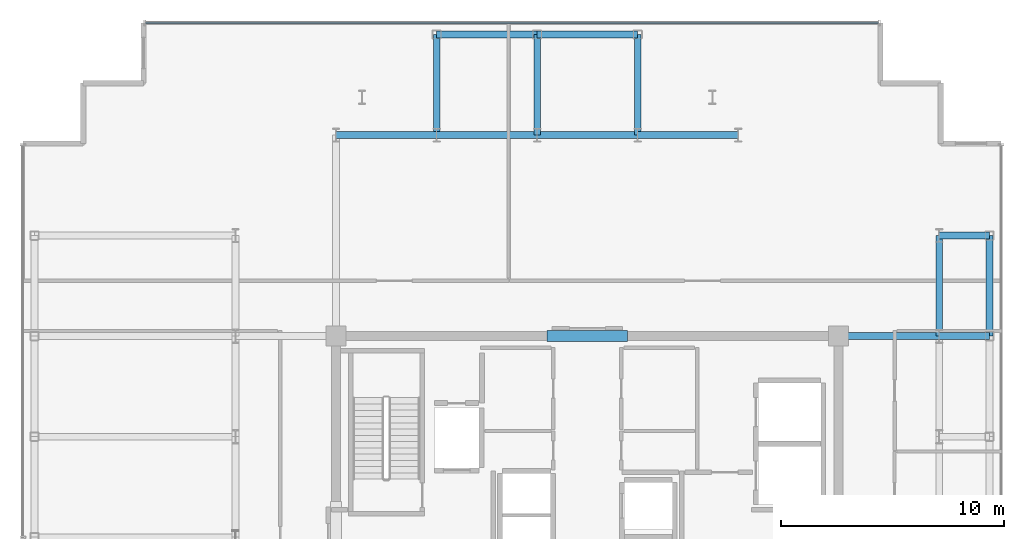
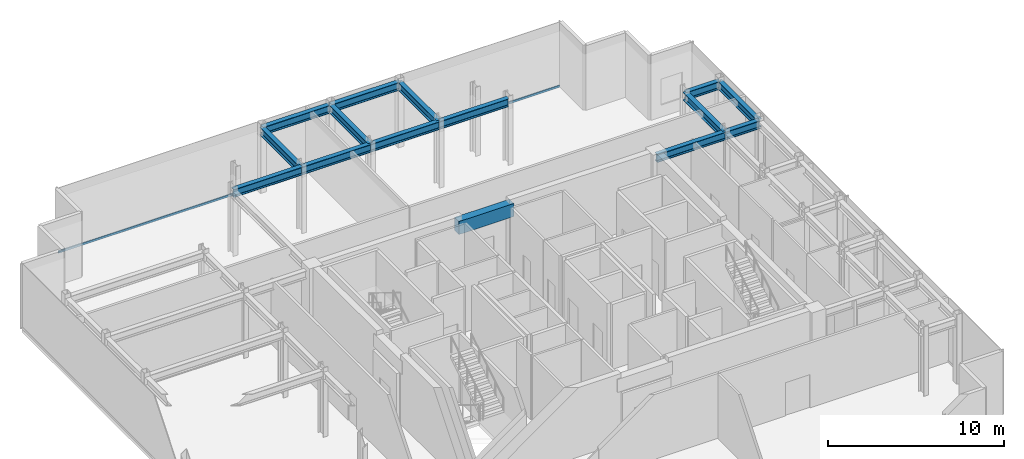
# One storey, part 10 of 17: 15 beams, 1 member, 1 element without a shape of its own.
"""IFC4 building model written with IfcOpenShell, lengths in metres."""

from ifc_helpers import new_model, si_unit, direction, frame, origin, origin_2d, place, context, subcontext, project, spatial, rectangle, hollow_rectangle, i_section, extrude, source, transform, mapped, material, layer, layer_set, material_profile, profile_set, type_object, element, aggregate, save


model = new_model("IFC4")

# Units and contexts
model_context = context("Model", 3, precision=1e-05, world=origin(), true_north=direction((0.0, 1.0)))
body_context = subcontext(model_context, "Body", "Model", "MODEL_VIEW")
ifc_project = project(units=[si_unit("LENGTHUNIT", "METRE"), si_unit("AREAUNIT", "SQUARE_METRE"), si_unit("VOLUMEUNIT", "CUBIC_METRE"), si_unit("PLANEANGLEUNIT", "RADIAN"), si_unit("MASSUNIT", "GRAM", prefix="KILO")], contexts=[model_context])

# Site, building, storey
site_placement = place(None, origin())
site = spatial("IfcSite", under=ifc_project, at=site_placement, CompositionType="ELEMENT")
building_placement = place(site_placement, origin())
building = spatial("IfcBuilding", under=site, at=building_placement, Name="Nefas-Gora Pilgrimage Tower", CompositionType="ELEMENT")
storey_placement = place(building_placement, frame((0.0, 0.0, 349.0)))
storey = spatial("IfcBuildingStorey", under=building, at=storey_placement, Name="L88", CompositionType="ELEMENT", Elevation=349.0)

# Beams
ifc_material_1 = material(Name="Concrete C50/60", Category="concrete")
ifc_material_profile_1 = material_profile(ifc_material_1, rectangle(XDim=0.5, YDim=0.89990234375, at=origin_2d()), Name="RC 500x900")
ifc_profile_set_1 = profile_set([ifc_material_profile_1], Name="Concrete C50/60")
beam_type_1 = type_object("IfcBeamType", Name="BM-LIN-RC900", PredefinedType="LINTEL", material=ifc_profile_set_1)
shared_shape_1 = source(origin(), body_context, "Body", "SweptSolid", [
    extrude(rectangle(XDim=0.5, YDim=0.89990234375, at=origin_2d()), origin(), (0.0, 0.0, 1.0), 3.60009765625),
])
beam_placement = place(storey_placement, frame((-1.800048828125, 9.0, 4.050048828125), z_axis=(1.0, 0.0, 0.0), x_axis=(0.0, 1.0, 0.0)))
element("IfcBeam", 1, at=beam_placement, inside=storey, type_object=beam_type_1, Name="L88 Core Coupling Lintel Beam N", PredefinedType="LINTEL", context=body_context, shape_type="MappedRepresentation", body=[
    mapped(shared_shape_1, transform((0.0, 0.0, 0.0), x_axis=(1.0, 0.0, 0.0), y_axis=(0.0, 1.0, 0.0), z_axis=(0.0, 0.0, 1.0), scale=1.0)),
])
ifc_material_2 = material(Name="Steel S355", Category="steel")
ifc_material_profile_2 = material_profile(ifc_material_2, i_section(OverallWidth=0.300048828125, OverallDepth=0.550048828125, WebThickness=0.014892578125, FlangeThickness=0.029052734375, FilletRadius=0.027099609375, at=origin_2d()), Name="HEB 550")
ifc_profile_set_2 = profile_set([ifc_material_profile_2], Name="Steel S355")
beam_type_2 = type_object("IfcBeamType", Name="BM-SPN-HEB400", PredefinedType="SPANDREL", material=ifc_profile_set_2)
shared_shape_2 = source(origin(), body_context, "Body", "SweptSolid", [
    extrude(i_section(OverallWidth=0.300048828125, OverallDepth=0.550048828125, WebThickness=0.014892578125, FlangeThickness=0.029052734375, FilletRadius=0.027099609375, at=origin_2d()), origin(), (0.0, 0.0, 1.0), 4.5),
])
for number, where, z_axis, x_axis, name in (
    (2, (-6.75, 22.5, 4.22509765625), (1.0, 0.0, 0.0), (0.0, 1.0, 0.0), "L88 SP-04 beam"),
    (3, (-2.25, 22.5, 4.22509765625), (1.0, 0.0, 0.0), (0.0, 1.0, 0.0), "L88 SP-04 beam"),
    (4, (18.0, 9.0, 4.22509765625), (0.0, 1.0, 0.0), (-1.0, 0.0, 0.0), "L88 SP-04 beam"),
):
    element("IfcBeam", number, at=place(storey_placement, frame(where, z_axis=z_axis, x_axis=x_axis)), inside=storey, type_object=beam_type_2, Name=name, PredefinedType="SPANDREL", context=body_context, shape_type="MappedRepresentation", body=[
        mapped(shared_shape_2, transform((0.0, 0.0, 0.0), x_axis=(1.0, 0.0, 0.0), y_axis=(0.0, 1.0, 0.0), z_axis=(0.0, 0.0, 1.0), scale=1.0)),
    ])
ifc_material_profile_3 = material_profile(ifc_material_2, i_section(OverallWidth=0.300048828125, OverallDepth=0.550048828125, WebThickness=0.014892578125, FlangeThickness=0.029052734375, FilletRadius=0.027099609375, at=origin_2d()), Name="HEB 550")
ifc_profile_set_3 = profile_set([ifc_material_profile_3], Name="Steel S355")
beam_type_3 = type_object("IfcBeamType", Name="BM-GIR-HEB550", PredefinedType="BEAM", material=ifc_profile_set_3)
shared_shape_3 = source(origin(), body_context, "Body", "SweptSolid", [
    extrude(i_section(OverallWidth=0.300048828125, OverallDepth=0.550048828125, WebThickness=0.014892578125, FlangeThickness=0.029052734375, FilletRadius=0.027099609375, at=origin_2d()), origin(), (0.0, 0.0, 1.0), 4.5),
])
for number, where, z_axis, x_axis, name in (
    (5, (-11.25, 18.0, 4.22509765625), (1.0, 0.0, 0.0), (0.0, 1.0, 0.0), "L88 G-05 beam"),
    (6, (-6.75, 18.0, 4.22509765625), (0.0, 1.0, 0.0), (-1.0, 0.0, 0.0), "L88 G-05 beam"),
    (7, (-6.75, 18.0, 4.22509765625), (1.0, 0.0, 0.0), (0.0, 1.0, 0.0), "L88 G-05 beam"),
    (8, (-2.25, 18.0, 4.22509765625), (0.0, 1.0, 0.0), (-1.0, 0.0, 0.0), "L88 G-05 beam"),
    (9, (-2.25, 18.0, 4.22509765625), (1.0, 0.0, 0.0), (0.0, 1.0, 0.0), "L88 G-05 beam"),
    (10, (2.25, 18.0, 4.22509765625), (0.0, 1.0, 0.0), (-1.0, 0.0, 0.0), "L88 G-05 beam"),
    (11, (2.25, 18.0, 4.22509765625), (1.0, 0.0, 0.0), (0.0, 1.0, 0.0), "L88 G-05 beam"),
    (12, (11.25, 9.0, 4.22509765625), (1.0, 0.0, 0.0), (0.0, 1.0, 0.0), "L88 G-05 beam"),
    (13, (15.75, 9.0, 4.22509765625), (0.0, 1.0, 0.0), (-1.0, 0.0, 0.0), "L88 G-05 beam"),
):
    element("IfcBeam", number, at=place(storey_placement, frame(where, z_axis=z_axis, x_axis=x_axis)), inside=storey, type_object=beam_type_3, Name=name, PredefinedType="BEAM", context=body_context, shape_type="MappedRepresentation", body=[
        mapped(shared_shape_3, transform((0.0, 0.0, 0.0), x_axis=(1.0, 0.0, 0.0), y_axis=(0.0, 1.0, 0.0), z_axis=(0.0, 0.0, 1.0), scale=1.0)),
    ])
shared_shape_4 = source(origin(), body_context, "Body", "SweptSolid", [
    extrude(i_section(OverallWidth=0.300048828125, OverallDepth=0.550048828125, WebThickness=0.014892578125, FlangeThickness=0.029052734375, FilletRadius=0.027099609375, at=origin_2d()), origin(), (0.0, 0.0, 1.0), 2.25),
])
for number, where, z_axis, x_axis, name in (
    (14, (15.75, 9.0, 4.22509765625), (1.0, 0.0, 0.0), (0.0, 1.0, 0.0), "L88 G-05 beam"),
    (15, (15.75, 13.5, 4.22509765625), (1.0, 0.0, 0.0), (0.0, 1.0, 0.0), "L88 G-05 beam"),
):
    element("IfcBeam", number, at=place(storey_placement, frame(where, z_axis=z_axis, x_axis=x_axis)), inside=storey, type_object=beam_type_3, Name=name, PredefinedType="BEAM", context=body_context, shape_type="MappedRepresentation", body=[
        mapped(shared_shape_4, transform((0.0, 0.0, 0.0), x_axis=(1.0, 0.0, 0.0), y_axis=(0.0, 1.0, 0.0), z_axis=(0.0, 0.0, 1.0), scale=1.0)),
    ])

# Curtain wall, member
ifc_material_3 = material(Name="Dark ceramic-fritted solar-control aluminium-glass curtain wall", Category="aluminium")
ifc_layer = layer(ifc_material_3, 0.219970703125)
ifc_layer_set = layer_set([ifc_layer], Name="Dark ceramic-fritted solar-control aluminium-glass curtain wall")
curtain_wall_type = type_object("IfcCurtainWallType", Name="CW-SYS-6", PredefinedType="NOTDEFINED", material=ifc_layer_set)
curtain_wall_placement = place(storey_placement, origin())
curtain_wall = element("IfcCurtainWall", 16, at=curtain_wall_placement, inside=storey, type_object=curtain_wall_type, Name="L88 Unitised Curtain Wall CW6", PredefinedType="NOTDEFINED")
ifc_material_4 = material(Name="Anodised architectural aluminium", Category="aluminium")
ifc_material_profile_4 = material_profile(ifc_material_4, hollow_rectangle(XDim=0.080078125, YDim=0.159912109375, WallThickness=0.00439453125, InnerFilletRadius=0.00439453125, OuterFilletRadius=0.009033203125, at=origin_2d()), Name="ALU TRANSOM 80x160")
ifc_profile_set_4 = profile_set([ifc_material_profile_4], Name="Anodised architectural aluminium")
member_type = type_object("IfcMemberType", Name="CWM-TRN-6", PredefinedType="USERDEFINED", material=ifc_profile_set_4)
shared_shape_5 = source(origin(), body_context, "Body", "SweptSolid", [
    extrude(hollow_rectangle(XDim=0.080078125, YDim=0.159912109375, WallThickness=0.00439453125, InnerFilletRadius=0.00439453125, OuterFilletRadius=0.009033203125, at=origin_2d()), origin(), (0.0, 0.0, 1.0), 32.81005859375),
])
member_placement = place(storey_placement, frame((13.030029296875, 23.02001953125, 0.050048828125), z_axis=(-1.0, 0.0, 0.0), x_axis=(0.0, -1.0, 0.0)))
member = element("IfcMember", 17, at=member_placement, type_object=member_type, Name="CW6 Spandrel Transom", ObjectType="TRANSOM", PredefinedType="USERDEFINED", context=body_context, shape_type="MappedRepresentation", body=[
    mapped(shared_shape_5, transform((0.0, 0.0, 0.0), x_axis=(1.0, 0.0, 0.0), y_axis=(0.0, 1.0, 0.0), z_axis=(0.0, 0.0, 1.0), scale=1.0)),
])
aggregate(curtain_wall, [member])

save(model, "model.ifc")
